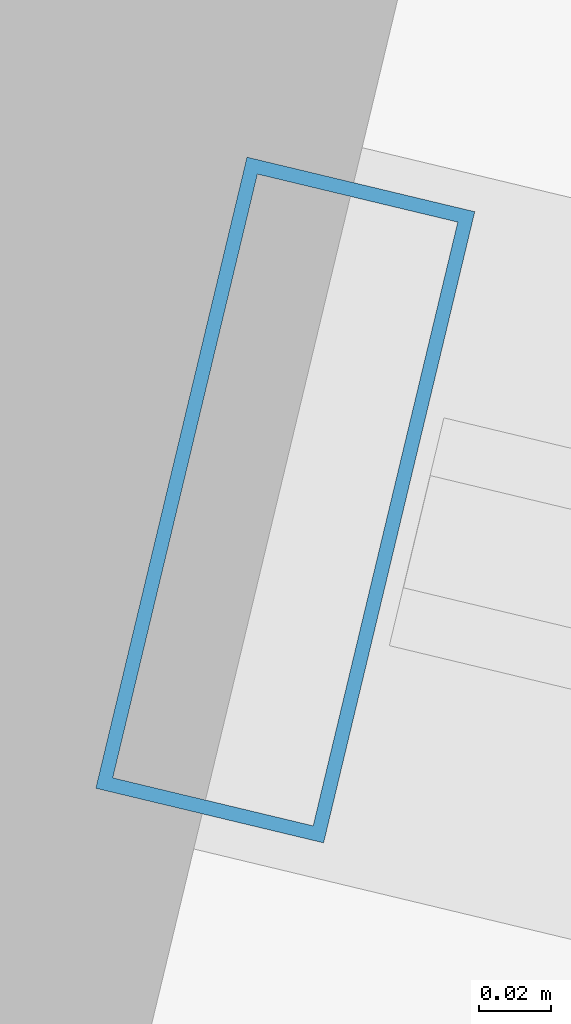
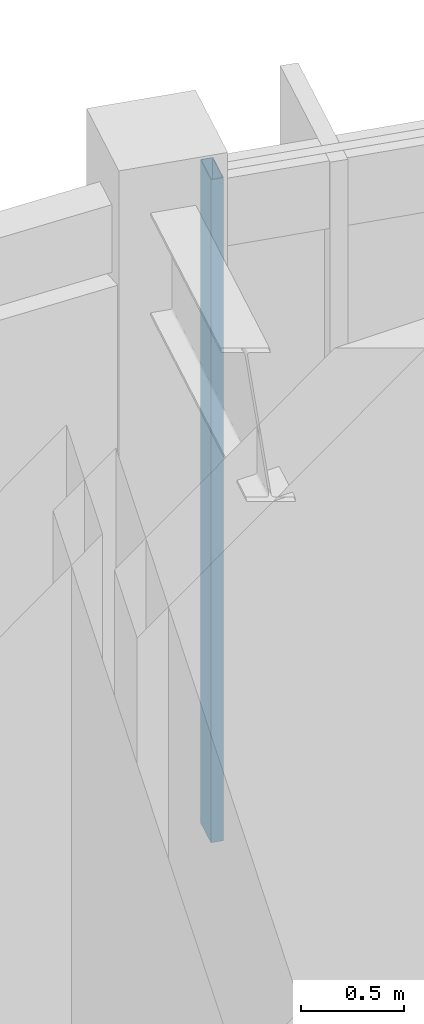
# One storey, part 40 of 79: 1 member, 1 element without a shape of its own.
"""IFC4 building model written with IfcOpenShell, lengths in metres."""

from ifc_helpers import new_model, si_unit, direction, frame, origin, origin_2d, place, context, subcontext, project, spatial, hollow_rectangle, extrude, material, material_profile, profile_set, type_object, element, aggregate, save


model = new_model("IFC4")

# Units and contexts
model_context = context("Model", 3, precision=1e-05, world=origin(), true_north=direction((0.0, 1.0)))
body_context = subcontext(model_context, "Body", "Model", "MODEL_VIEW")
ifc_project = project(units=[si_unit("LENGTHUNIT", "METRE"), si_unit("AREAUNIT", "SQUARE_METRE"), si_unit("VOLUMEUNIT", "CUBIC_METRE"), si_unit("PLANEANGLEUNIT", "RADIAN"), si_unit("MASSUNIT", "GRAM", prefix="KILO"), si_unit("THERMODYNAMICTEMPERATUREUNIT", "KELVIN"), si_unit("POWERUNIT", "WATT")], contexts=[model_context])

# Site, building, storey
site_placement = place(None, origin())
site = spatial("IfcSite", under=ifc_project, at=site_placement, CompositionType="ELEMENT")
building_placement = place(site_placement, origin())
building = spatial("IfcBuilding", under=site, at=building_placement, Name="Darbajah Civic Hall", CompositionType="ELEMENT")
storey_placement = place(building_placement, frame((0.0, 0.0, 22.199951171875)))
storey = spatial("IfcBuildingStorey", under=building, at=storey_placement, Name="L05", CompositionType="ELEMENT", Elevation=22.199951171875)

# Curtain wall, member
ifc_material_1 = material(Name="Anodised Bronze Aluminium and Low-E Glazing", Category="aluminium")
curtain_wall_type = type_object("IfcCurtainWallType", Name="Unitised Curtain Wall CW-64 14600x3900", PredefinedType="USERDEFINED", material=ifc_material_1)
curtain_wall_placement = place(storey_placement, origin())
curtain_wall = element("IfcCurtainWall", 1, at=curtain_wall_placement, inside=storey, type_object=curtain_wall_type, Name="L05 unitised curtain wall CW-V1O-L05-03", ObjectType="UNITISED CURTAIN WALL", PredefinedType="USERDEFINED")
ifc_material_2 = material(Name="Anodised Bronze Aluminium", Category="aluminium")
ifc_material_profile = material_profile(ifc_material_2, hollow_rectangle(XDim=0.06494140625, YDim=0.179931640625, WallThickness=0.00390625, at=origin_2d()), Name="ALU MULLION 65x180")
ifc_profile_set = profile_set([ifc_material_profile], Name="Anodised Bronze Aluminium")
member_type = type_object("IfcMemberType", Name="ALU MULLION 65x180", PredefinedType="MULLION", material=ifc_profile_set)
member_placement = place(storey_placement, frame((101.275146484375, 118.42041015625, 0.0), z_axis=(0.0, 0.0, 1.0), x_axis=(-0.972492018808, 0.232936200179, 0.0)))
member = element("IfcMember", 2, at=member_placement, type_object=member_type, Name="CW-V1O-L05-03 mullion 5", PredefinedType="MULLION", context=body_context, shape_type="SweptSolid", body=[
    extrude(hollow_rectangle(XDim=0.06494140625, YDim=0.179931640625, WallThickness=0.00390625, at=origin_2d()), origin(), (0.0, 0.0, 1.0), 3.920166015625),
])
aggregate(curtain_wall, [member])

save(model, "model.ifc")
